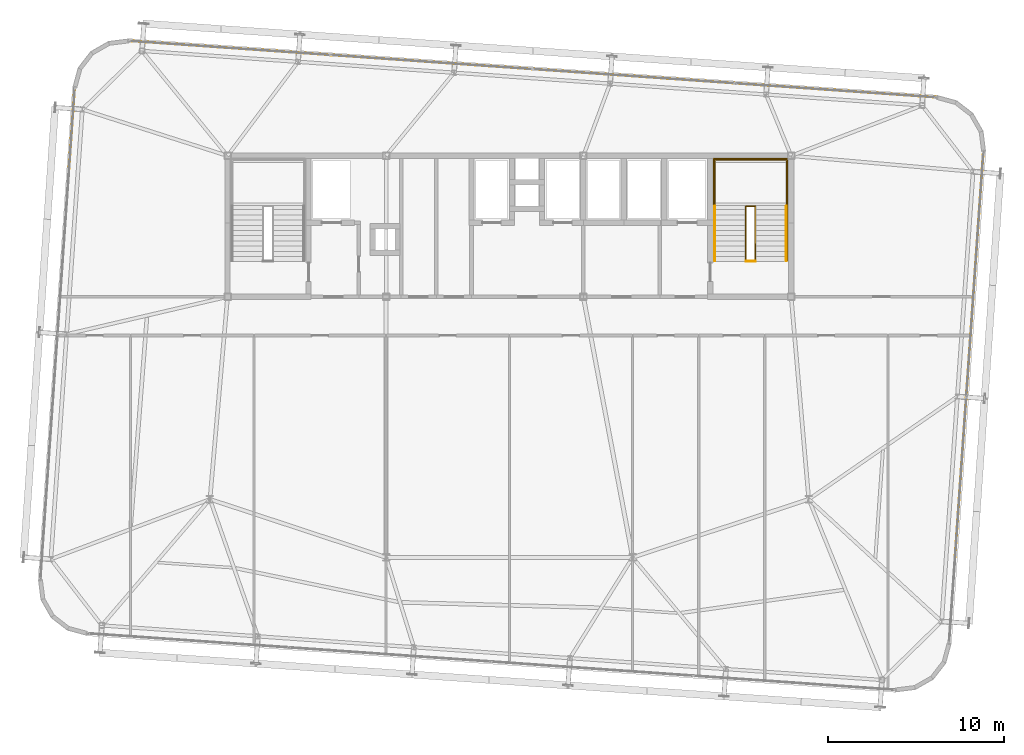
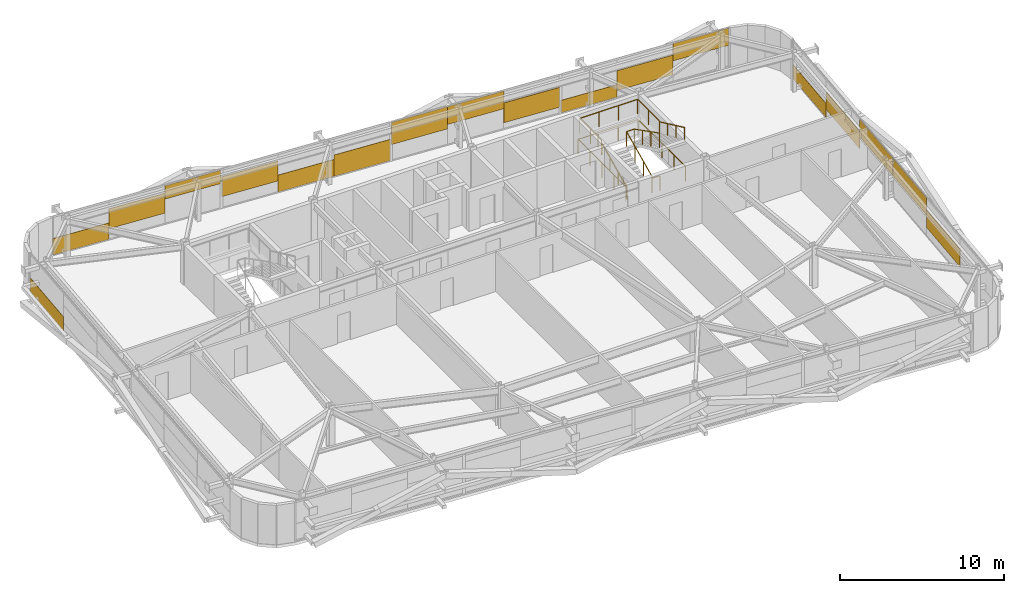
# One storey, part 39 of 39: 18 coverings, 6 railings.
"""IFC4 building model written with IfcOpenShell, lengths in metres."""

from ifc_helpers import new_model, si_unit, direction, frame, origin, origin_2d, place, context, subcontext, project, spatial, rectangle, extrude, source, transform, mapped, material, layer, layer_set, type_object, element, save


model = new_model("IFC4")

# Units and contexts
model_context = context("Model", 3, precision=1e-05, world=origin(), true_north=direction((0.0, 1.0)))
body_context = subcontext(model_context, "Body", "Model", "MODEL_VIEW")
ifc_project = project(units=[si_unit("LENGTHUNIT", "METRE"), si_unit("AREAUNIT", "SQUARE_METRE"), si_unit("VOLUMEUNIT", "CUBIC_METRE"), si_unit("PLANEANGLEUNIT", "RADIAN"), si_unit("MASSUNIT", "GRAM", prefix="KILO")], contexts=[model_context])

# Site, building, storey
site_placement = place(None, origin())
site = spatial("IfcSite", under=ifc_project, at=site_placement, CompositionType="ELEMENT")
building_placement = place(site_placement, origin())
building = spatial("IfcBuilding", under=site, at=building_placement, Name="Taldren Reach Tower", CompositionType="ELEMENT")
storey_placement = place(building_placement, frame((0.0, 0.0, 151.89990234375)))
storey = spatial("IfcBuildingStorey", under=building, at=storey_placement, Name="L46", CompositionType="ELEMENT", Elevation=151.89990234375)

# Railings
ifc_material_1 = material(Name="Steel Gr 350 (C350L0)", Category="steel")
ifc_layer_1 = layer(ifc_material_1, 0.050048828125)
ifc_layer_set_1 = layer_set([ifc_layer_1], Name="Steel Gr 350 (C350L0)")
railing_type_1 = type_object("IfcRailingType", Name="RL-STAIR-GR", PredefinedType="GUARDRAIL", material=ifc_layer_set_1)
railing_1_placement = place(storey_placement, frame((46.659912109375, 29.135009765625, 1.5751953125)))
element("IfcRailing", 1, at=railing_1_placement, inside=storey, type_object=railing_type_1, Name="Stair half-landing perimeter guard ST2-L46", PredefinedType="GUARDRAIL", context=body_context, shape_type="SweptSolid", body=[
    extrude(rectangle(XDim=0.047852, YDim=0.047852, at=origin_2d()), frame((0.0, 0.0, 1.09619140625), z_axis=(0.0, 1.0, 0.0), x_axis=(-1.0, 0.0, 0.0)), (0.0, 0.0, 1.0), 2.64501953125),
    extrude(rectangle(XDim=0.047852, YDim=0.047852, at=origin_2d()), frame((0.0, 2.64501953125, 1.09619140625), z_axis=(1.0, 0.0, 0.0), x_axis=(0.0, 1.0, 0.0)), (0.0, 0.0, 1.0), 4.080078125),
    extrude(rectangle(XDim=0.047852, YDim=0.047852, at=origin_2d()), frame((4.080078125, 2.64501953125, 1.09619140625), z_axis=(0.0, -1.0, 0.0), x_axis=(1.0, 0.0, 0.0)), (0.0, 0.0, 1.0), 2.64501953125),
    extrude(rectangle(XDim=0.041992, YDim=0.041992, at=origin_2d()), origin(), (0.0, 0.0, 1.0), 1.072021484375),
    extrude(rectangle(XDim=0.041992, YDim=0.041992, at=origin_2d()), frame((0.0, 1.322509765625, 0.0)), (0.0, 0.0, 1.0), 1.072021484375),
    extrude(rectangle(XDim=0.041992, YDim=0.041992, at=origin_2d()), frame((0.0, 2.64501953125, 0.0)), (0.0, 0.0, 1.0), 1.072021484375),
    extrude(rectangle(XDim=0.041992, YDim=0.041992, at=origin_2d()), frame((1.360107421875, 2.64501953125, 0.0)), (0.0, 0.0, 1.0), 1.072021484375),
    extrude(rectangle(XDim=0.041992, YDim=0.041992, at=origin_2d()), frame((2.719970703125, 2.64501953125, 0.0)), (0.0, 0.0, 1.0), 1.072021484375),
    extrude(rectangle(XDim=0.041992, YDim=0.041992, at=origin_2d()), frame((4.080078125, 2.64501953125, 0.0)), (0.0, 0.0, 1.0), 1.072021484375),
    extrude(rectangle(XDim=0.041992, YDim=0.041992, at=origin_2d()), frame((4.080078125, 1.322509765625, 0.0)), (0.0, 0.0, 1.0), 1.072021484375),
    extrude(rectangle(XDim=0.041992, YDim=0.041992, at=origin_2d()), frame((4.080078125, 0.0, 0.0)), (0.0, 0.0, 1.0), 1.072021484375),
])
railing_2_placement = place(storey_placement, frame((48.429931640625, 26.050048828125, 0.13134765625)))
element("IfcRailing", 2, at=railing_2_placement, inside=storey, type_object=railing_type_1, Name="Stairwell inner guard ST2-L46", PredefinedType="GUARDRAIL", context=body_context, shape_type="SweptSolid", body=[
    extrude(rectangle(XDim=0.047852, YDim=0.047852, at=origin_2d()), frame((0.0, 0.0, 1.09619140625), z_axis=(0.0, 0.905710134349, 0.423897573167), x_axis=(-1.0, 0.0, 0.0)), (0.0, 0.0, 1.0), 3.406005859375),
    extrude(rectangle(XDim=0.047852, YDim=0.047852, at=origin_2d()), frame((0.0, 3.0849609375, 2.5400390625), z_axis=(1.0, 0.0, 0.0), x_axis=(0.0, 1.0, 0.0)), (0.0, 0.0, 1.0), 0.5400390625),
    extrude(rectangle(XDim=0.047852, YDim=0.047852, at=origin_2d()), frame((0.5400390625, 3.0849609375, 2.5400390625), z_axis=(0.0, -0.890645957773, 0.45469745755), x_axis=(1.0, 0.0, 0.0)), (0.0, 0.0, 1.0), 3.463623046875),
    extrude(rectangle(XDim=0.041992, YDim=0.041992, at=origin_2d()), origin(), (0.0, 0.0, 1.0), 1.072021484375),
    extrude(rectangle(XDim=0.041992, YDim=0.041992, at=origin_2d()), frame((0.0, 1.0283203125, 0.481201171875)), (0.0, 0.0, 1.0), 1.072021484375),
    extrude(rectangle(XDim=0.041992, YDim=0.041992, at=origin_2d()), frame((0.0, 2.056640625, 0.962646484375)), (0.0, 0.0, 1.0), 1.072021484375),
    extrude(rectangle(XDim=0.041992, YDim=0.041992, at=origin_2d()), frame((0.0, 3.0849609375, 1.44384765625)), (0.0, 0.0, 1.0), 1.072021484375),
    extrude(rectangle(XDim=0.041992, YDim=0.041992, at=origin_2d()), frame((0.5400390625, 3.0849609375, 1.44384765625)), (0.0, 0.0, 1.0), 1.072021484375),
    extrude(rectangle(XDim=0.041992, YDim=0.041992, at=origin_2d()), frame((0.5400390625, 2.056640625, 1.96875)), (0.0, 0.0, 1.0), 1.072021484375),
    extrude(rectangle(XDim=0.041992, YDim=0.041992, at=origin_2d()), frame((0.5400390625, 1.0283203125, 2.493896484375)), (0.0, 0.0, 1.0), 1.072021484375),
    extrude(rectangle(XDim=0.041992, YDim=0.041992, at=origin_2d()), frame((0.5400390625, 0.0, 3.018798828125)), (0.0, 0.0, 1.0), 1.072021484375),
])
railing_3_placement = place(storey_placement, frame((48.429931640625, 26.010009765625, 0.0)))
element("IfcRailing", 3, at=railing_3_placement, inside=storey, type_object=railing_type_1, Name="Stairwell landing slot guard ST2-L46", PredefinedType="GUARDRAIL", context=body_context, shape_type="SweptSolid", body=[
    extrude(rectangle(XDim=0.047852, YDim=0.047852, at=origin_2d()), frame((0.0, 0.0, 1.09619140625), z_axis=(1.0, 0.0, 0.0), x_axis=(0.0, 1.0, 0.0)), (0.0, 0.0, 1.0), 0.5400390625),
    extrude(rectangle(XDim=0.041992, YDim=0.041992, at=origin_2d()), origin(), (0.0, 0.0, 1.0), 1.072021484375),
    extrude(rectangle(XDim=0.041992, YDim=0.041992, at=origin_2d()), frame((0.5400390625, 0.0, 0.0)), (0.0, 0.0, 1.0), 1.072021484375),
])
railing_4_placement = place(storey_placement, frame((46.590087890625, 26.050048828125, 0.0)))
element("IfcRailing", 4, at=railing_4_placement, inside=storey, type_object=railing_type_1, Name="Stairwell floor opening guard ST2-L46", PredefinedType="GUARDRAIL", context=body_context, shape_type="SweptSolid", body=[
    extrude(rectangle(XDim=0.047852, YDim=0.047852, at=origin_2d()), frame((0.0, 0.0, 1.09619140625), z_axis=(0.0, 1.0, 0.0), x_axis=(-1.0, 0.0, 0.0)), (0.0, 0.0, 1.0), 5.800048828125),
    extrude(rectangle(XDim=0.047852, YDim=0.047852, at=origin_2d()), frame((0.0, 5.800048828125, 1.09619140625), z_axis=(1.0, 0.0, 0.0), x_axis=(0.0, 1.0, 0.0)), (0.0, 0.0, 1.0), 4.219970703125),
    extrude(rectangle(XDim=0.047852, YDim=0.047852, at=origin_2d()), frame((4.219970703125, 5.800048828125, 1.09619140625), z_axis=(0.0, -1.0, 0.0), x_axis=(1.0, 0.0, 0.0)), (0.0, 0.0, 1.0), 5.800048828125),
    extrude(rectangle(XDim=0.041992, YDim=0.041992, at=origin_2d()), origin(), (0.0, 0.0, 1.0), 1.072021484375),
    extrude(rectangle(XDim=0.041992, YDim=0.041992, at=origin_2d()), frame((0.0, 1.449951171875, 0.0)), (0.0, 0.0, 1.0), 1.072021484375),
    extrude(rectangle(XDim=0.041992, YDim=0.041992, at=origin_2d()), frame((0.0, 2.89990234375, 0.0)), (0.0, 0.0, 1.0), 1.072021484375),
    extrude(rectangle(XDim=0.041992, YDim=0.041992, at=origin_2d()), frame((0.0, 4.35009765625, 0.0)), (0.0, 0.0, 1.0), 1.072021484375),
    extrude(rectangle(XDim=0.041992, YDim=0.041992, at=origin_2d()), frame((0.0, 5.800048828125, 0.0)), (0.0, 0.0, 1.0), 1.072021484375),
    extrude(rectangle(XDim=0.041992, YDim=0.041992, at=origin_2d()), frame((1.40673828125, 5.800048828125, 0.0)), (0.0, 0.0, 1.0), 1.072021484375),
    extrude(rectangle(XDim=0.041992, YDim=0.041992, at=origin_2d()), frame((2.813232421875, 5.800048828125, 0.0)), (0.0, 0.0, 1.0), 1.072021484375),
    extrude(rectangle(XDim=0.041992, YDim=0.041992, at=origin_2d()), frame((4.219970703125, 5.800048828125, 0.0)), (0.0, 0.0, 1.0), 1.072021484375),
    extrude(rectangle(XDim=0.041992, YDim=0.041992, at=origin_2d()), frame((4.219970703125, 4.35009765625, 0.0)), (0.0, 0.0, 1.0), 1.072021484375),
    extrude(rectangle(XDim=0.041992, YDim=0.041992, at=origin_2d()), frame((4.219970703125, 2.89990234375, 0.0)), (0.0, 0.0, 1.0), 1.072021484375),
    extrude(rectangle(XDim=0.041992, YDim=0.041992, at=origin_2d()), frame((4.219970703125, 1.449951171875, 0.0)), (0.0, 0.0, 1.0), 1.072021484375),
    extrude(rectangle(XDim=0.041992, YDim=0.041992, at=origin_2d()), frame((4.219970703125, 0.0, 0.0)), (0.0, 0.0, 1.0), 1.072021484375),
])
ifc_material_2 = material(Name="Stainless Steel Gr 316", Category="steel")
ifc_layer_2 = layer(ifc_material_2, 0.048095703125)
ifc_layer_set_2 = layer_set([ifc_layer_2], Name="Stainless Steel Gr 316")
railing_type_2 = type_object("IfcRailingType", Name="RL-STAIR-HR", PredefinedType="HANDRAIL", material=ifc_layer_set_2)
railing_5_placement = place(storey_placement, frame((46.669921875, 26.050048828125, 0.13134765625)))
element("IfcRailing", 5, at=railing_5_placement, inside=storey, type_object=railing_type_2, Name="Stair flight handrail ST2-L46-1", PredefinedType="HANDRAIL", context=body_context, shape_type="SweptSolid", body=[
    extrude(rectangle(XDim=0.047852, YDim=0.047852, at=origin_2d()), frame((0.0, 0.0, 0.89599609375), z_axis=(0.0, 0.905710134349, 0.423897573167), x_axis=(-1.0, 0.0, 0.0)), (0.0, 0.0, 1.0), 3.406005859375),
    extrude(rectangle(XDim=0.041992, YDim=0.041992, at=origin_2d()), origin(), (0.0, 0.0, 1.0), 0.871826171875),
    extrude(rectangle(XDim=0.041992, YDim=0.041992, at=origin_2d()), frame((0.0, 1.0283203125, 0.481201171875)), (0.0, 0.0, 1.0), 0.871826171875),
    extrude(rectangle(XDim=0.041992, YDim=0.041992, at=origin_2d()), frame((0.0, 2.056640625, 0.962646484375)), (0.0, 0.0, 1.0), 0.871826171875),
    extrude(rectangle(XDim=0.041992, YDim=0.041992, at=origin_2d()), frame((0.0, 3.0849609375, 1.44384765625)), (0.0, 0.0, 1.0), 0.871826171875),
])
railing_6_placement = place(storey_placement, frame((50.72998046875, 29.135009765625, 1.706298828125)))
element("IfcRailing", 6, at=railing_6_placement, inside=storey, type_object=railing_type_2, Name="Stair flight handrail ST2-L46-2", PredefinedType="HANDRAIL", context=body_context, shape_type="SweptSolid", body=[
    extrude(rectangle(XDim=0.047852, YDim=0.047852, at=origin_2d()), frame((0.0, 0.0, 0.89599609375), z_axis=(0.0, -0.905710134349, 0.423897573167), x_axis=(1.0, 0.0, 0.0)), (0.0, 0.0, 1.0), 3.406005859375),
    extrude(rectangle(XDim=0.041992, YDim=0.041992, at=origin_2d()), origin(), (0.0, 0.0, 1.0), 0.871826171875),
    extrude(rectangle(XDim=0.041992, YDim=0.041992, at=origin_2d()), frame((0.0, -1.0283203125, 0.481201171875)), (0.0, 0.0, 1.0), 0.871826171875),
    extrude(rectangle(XDim=0.041992, YDim=0.041992, at=origin_2d()), frame((0.0, -2.056640625, 0.962646484375)), (0.0, 0.0, 1.0), 0.871826171875),
    extrude(rectangle(XDim=0.041992, YDim=0.041992, at=origin_2d()), frame((0.0, -3.0849609375, 1.44384765625)), (0.0, 0.0, 1.0), 0.871826171875),
])

# Coverings
ifc_material_3 = material(Name="Pale Champagne Fluoropolymer Aluminium Spandrel Cladding", Category="aluminium")
ifc_layer_3 = layer(ifc_material_3, 0.0439453125)
ifc_layer_set_3 = layer_set([ifc_layer_3], Name="Pale Champagne Fluoropolymer Aluminium Spandrel Cladding")
covering_type = type_object("IfcCoveringType", Name="CV-CLAD-044", PredefinedType="CLADDING", material=ifc_layer_set_3)
shared_shape_1 = source(origin(), body_context, "Body", "SweptSolid", [
    extrude(rectangle(XDim=3.79833984375, YDim=0.0439453125, at=origin_2d()), origin(), (0.0, 0.0, 1.0), 1.22216796875),
])
covering_1_placement = place(storey_placement, frame((15.346435546875, 38.385986328125, 0.05517578125), z_axis=(0.0, 0.0, 1.0), x_axis=(-0.99756404731, 0.06975651593, 0.0)))
element("IfcCovering", 7, at=covering_1_placement, inside=storey, type_object=covering_type, Name="Diagrid closure cladding strip CW-4 panel 4.1 3", PredefinedType="CLADDING", context=body_context, shape_type="MappedRepresentation", body=[
    mapped(shared_shape_1, transform((0.0, 0.0, 0.0), scale=1.0)),
])
shared_shape_2 = source(origin(), body_context, "Body", "SweptSolid", [
    extrude(rectangle(XDim=3.79833984375, YDim=0.0439453125, at=origin_2d()), origin(), (0.0, 0.0, 1.0), 1.474365234375),
])
for number, where, z_axis, x_axis, name in (
    (8, (53.5166015625, 35.716796875, 0.5537109375), (0.0, 0.0, 1.0), (-0.99756404731, 0.06975651593, 0.0), "Diagrid closure cladding strip CW-4 panel 1.1 2"),
    (9, (19.135498046875, 38.12109375, 0.84228515625), (0.0, 0.0, 1.0), (-0.99756404731, 0.06975651593, 0.0), "Diagrid closure cladding strip CW-4 panel 4.1 2"),
):
    element("IfcCovering", number, at=place(storey_placement, frame(where, z_axis=z_axis, x_axis=x_axis)), inside=storey, type_object=covering_type, Name=name, PredefinedType="CLADDING", context=body_context, shape_type="MappedRepresentation", body=[
        mapped(shared_shape_2, transform((0.0, 0.0, 0.0), scale=1.0)),
    ])
shared_shape_3 = source(origin(), body_context, "Body", "SweptSolid", [
    extrude(rectangle(XDim=3.79833984375, YDim=0.0439453125, at=origin_2d()), origin(), (0.0, 0.0, 1.0), 0.993408203125),
])
covering_2_placement = place(storey_placement, frame((22.924560546875, 37.85595703125, 1.8818359375), z_axis=(0.0, 0.0, 1.0), x_axis=(-0.99756404731, 0.06975651593, 0.0)))
element("IfcCovering", 10, at=covering_2_placement, inside=storey, type_object=covering_type, Name="Diagrid closure cladding strip CW-4 panel 4.1 1", PredefinedType="CLADDING", context=body_context, shape_type="MappedRepresentation", body=[
    mapped(shared_shape_3, transform((0.0, 0.0, 0.0), scale=1.0)),
])
shared_shape_4 = source(origin(), body_context, "Body", "SweptSolid", [
    extrude(rectangle(XDim=3.81005859375, YDim=0.0439453125, at=origin_2d()), origin(), (0.0, 0.0, 1.0), 1.477783203125),
])
for number, where, z_axis, x_axis, name in (
    (11, (45.86279296875, 36.251953125, 0.51025390625), (0.0, 0.0, 1.0), (-0.99756404731, 0.06975651593, 0.0), "Diagrid closure cladding strip CW-4 panel 2.1 1"),
    (12, (26.789306640625, 37.585693359375, 0.88232421875), (0.0, 0.0, 1.0), (-0.99756404731, 0.06975651593, 0.0), "Diagrid closure cladding strip CW-4 panel 3.1 3"),
):
    element("IfcCovering", number, at=place(storey_placement, frame(where, z_axis=z_axis, x_axis=x_axis)), inside=storey, type_object=covering_type, Name=name, PredefinedType="CLADDING", context=body_context, shape_type="MappedRepresentation", body=[
        mapped(shared_shape_4, transform((0.0, 0.0, 0.0), scale=1.0)),
    ])
shared_shape_5 = source(origin(), body_context, "Body", "SweptSolid", [
    extrude(rectangle(XDim=3.81005859375, YDim=0.0439453125, at=origin_2d()), origin(), (0.0, 0.0, 1.0), 1.26220703125),
])
covering_3_placement = place(storey_placement, frame((30.590087890625, 37.320068359375, 0.05517578125), z_axis=(0.0, 0.0, 1.0), x_axis=(-0.99756404731, 0.06975651593, 0.0)))
element("IfcCovering", 13, at=covering_3_placement, inside=storey, type_object=covering_type, Name="Diagrid closure cladding strip CW-4 panel 3.1 2", PredefinedType="CLADDING", context=body_context, shape_type="MappedRepresentation", body=[
    mapped(shared_shape_5, transform((0.0, 0.0, 0.0), scale=1.0)),
])
shared_shape_6 = source(origin(), body_context, "Body", "SweptSolid", [
    extrude(rectangle(XDim=3.81005859375, YDim=0.0439453125, at=origin_2d()), origin(), (0.0, 0.0, 1.0), 1.587890625),
])
covering_4_placement = place(storey_placement, frame((34.390869140625, 37.05419921875, 0.05517578125), z_axis=(0.0, 0.0, 1.0), x_axis=(-0.99756404731, 0.06975651593, 0.0)))
element("IfcCovering", 14, at=covering_4_placement, inside=storey, type_object=covering_type, Name="Diagrid closure cladding strip CW-4 panel 3.1 1", PredefinedType="CLADDING", context=body_context, shape_type="MappedRepresentation", body=[
    mapped(shared_shape_6, transform((0.0, 0.0, 0.0), scale=1.0)),
])
shared_shape_7 = source(origin(), body_context, "Body", "SweptSolid", [
    extrude(rectangle(XDim=3.81005859375, YDim=0.0439453125, at=origin_2d()), origin(), (0.0, 0.0, 1.0), 1.64794921875),
])
covering_5_placement = place(storey_placement, frame((38.261474609375, 36.78369140625, 1.22705078125), z_axis=(0.0, 0.0, 1.0), x_axis=(-0.99756404731, 0.06975651593, 0.0)))
element("IfcCovering", 15, at=covering_5_placement, inside=storey, type_object=covering_type, Name="Diagrid closure cladding strip CW-4 panel 2.1 3", PredefinedType="CLADDING", context=body_context, shape_type="MappedRepresentation", body=[
    mapped(shared_shape_7, transform((0.0, 0.0, 0.0), scale=1.0)),
])
shared_shape_8 = source(origin(), body_context, "Body", "SweptSolid", [
    extrude(rectangle(XDim=3.81005859375, YDim=0.0439453125, at=origin_2d()), origin(), (0.0, 0.0, 1.0), 1.322265625),
])
covering_6_placement = place(storey_placement, frame((42.06201171875, 36.517822265625, 1.552734375), z_axis=(0.0, 0.0, 1.0), x_axis=(-0.99756404731, 0.06975651593, 0.0)))
element("IfcCovering", 16, at=covering_6_placement, inside=storey, type_object=covering_type, Name="Diagrid closure cladding strip CW-4 panel 2.1 2", PredefinedType="CLADDING", context=body_context, shape_type="MappedRepresentation", body=[
    mapped(shared_shape_8, transform((0.0, 0.0, 0.0), scale=1.0)),
])
shared_shape_9 = source(origin(), body_context, "Body", "SweptSolid", [
    extrude(rectangle(XDim=3.79833984375, YDim=0.0439453125, at=origin_2d()), origin(), (0.0, 0.0, 1.0), 0.93359375),
])
covering_7_placement = place(storey_placement, frame((49.7275390625, 35.981689453125, 0.054931640625), z_axis=(0.0, 0.0, 1.0), x_axis=(-0.99756404731, 0.06975651593, 0.0)))
element("IfcCovering", 17, at=covering_7_placement, inside=storey, type_object=covering_type, Name="Diagrid closure cladding strip CW-4 panel 1.1 3", PredefinedType="CLADDING", context=body_context, shape_type="MappedRepresentation", body=[
    mapped(shared_shape_9, transform((0.0, 0.0, 0.0), scale=1.0)),
])
shared_shape_10 = source(origin(), body_context, "Body", "SweptSolid", [
    extrude(rectangle(XDim=3.79833984375, YDim=0.0439453125, at=origin_2d()), origin(), (0.0, 0.0, 1.0), 1.2822265625),
])
covering_8_placement = place(storey_placement, frame((57.3056640625, 35.451904296875, 1.5927734375), z_axis=(0.0, 0.0, 1.0), x_axis=(-0.99756404731, 0.06975651593, 0.0)))
element("IfcCovering", 18, at=covering_8_placement, inside=storey, type_object=covering_type, Name="Diagrid closure cladding strip CW-4 panel 1.1 1", PredefinedType="CLADDING", context=body_context, shape_type="MappedRepresentation", body=[
    mapped(shared_shape_10, transform((0.0, 0.0, 0.0), scale=1.0)),
])
shared_shape_11 = source(origin(), body_context, "Body", "SweptSolid", [
    extrude(rectangle(XDim=4.631591796875, YDim=0.0439453125, at=origin_2d()), origin(), (0.0, 0.0, 1.0), 1.04345703125),
])
for number, where, z_axis, x_axis, name in (
    (19, (10.1630859375, 33.48974609375, 0.05517578125), (0.0, 0.0, 1.0), (-0.069756437251, -0.997564052812, 0.0), "Diagrid closure cladding strip CW-4 panel 1.1 1"),
    (20, (61.757080078125, 29.882080078125, 0.05517578125), (0.0, 0.0, 1.0), (0.069756437251, 0.997564052812, 0.0), "Diagrid closure cladding strip CW-4 panel 2.1 3"),
):
    element("IfcCovering", number, at=place(storey_placement, frame(where, z_axis=z_axis, x_axis=x_axis)), inside=storey, type_object=covering_type, Name=name, PredefinedType="CLADDING", context=body_context, shape_type="MappedRepresentation", body=[
        mapped(shared_shape_11, transform((0.0, 0.0, 0.0), scale=1.0)),
    ])
shared_shape_12 = source(origin(), body_context, "Body", "SweptSolid", [
    extrude(rectangle(XDim=4.631591796875, YDim=0.0439453125, at=origin_2d()), origin(), (0.0, 0.0, 1.0), 1.306640625),
])
for number, where, z_axis, x_axis, name in (
    (21, (60.4599609375, 11.33056640625, 0.671142578125), (0.0, 0.0, 1.0), (0.069756437251, 0.997564052812, 0.0), "Diagrid closure cladding strip CW-4 panel 1.1 2"),
    (22, (61.43408203125, 25.261474609375, 0.671142578125), (0.0, 0.0, 1.0), (0.069756437251, 0.997564052812, 0.0), "Diagrid closure cladding strip CW-4 panel 2.1 2"),
):
    element("IfcCovering", number, at=place(storey_placement, frame(where, z_axis=z_axis, x_axis=x_axis)), inside=storey, type_object=covering_type, Name=name, PredefinedType="CLADDING", context=body_context, shape_type="MappedRepresentation", body=[
        mapped(shared_shape_12, transform((0.0, 0.0, 0.0), scale=1.0)),
    ])
shared_shape_13 = source(origin(), body_context, "Body", "SweptSolid", [
    extrude(rectangle(XDim=4.631591796875, YDim=0.0439453125, at=origin_2d()), origin(), (0.0, 0.0, 1.0), 1.32470703125),
])
for number, where, z_axis, x_axis, name in (
    (23, (60.782958984375, 15.950927734375, 1.550537109375), (0.0, 0.0, 1.0), (0.069756437251, 0.997564052812, 0.0), "Diagrid closure cladding strip CW-4 panel 1.1 3"),
    (24, (61.111083984375, 20.64111328125, 1.550537109375), (0.0, 0.0, 1.0), (0.069756437251, 0.997564052812, 0.0), "Diagrid closure cladding strip CW-4 panel 2.1 1"),
):
    element("IfcCovering", number, at=place(storey_placement, frame(where, z_axis=z_axis, x_axis=x_axis)), inside=storey, type_object=covering_type, Name=name, PredefinedType="CLADDING", context=body_context, shape_type="MappedRepresentation", body=[
        mapped(shared_shape_13, transform((0.0, 0.0, 0.0), scale=1.0)),
    ])

save(model, "model.ifc")
